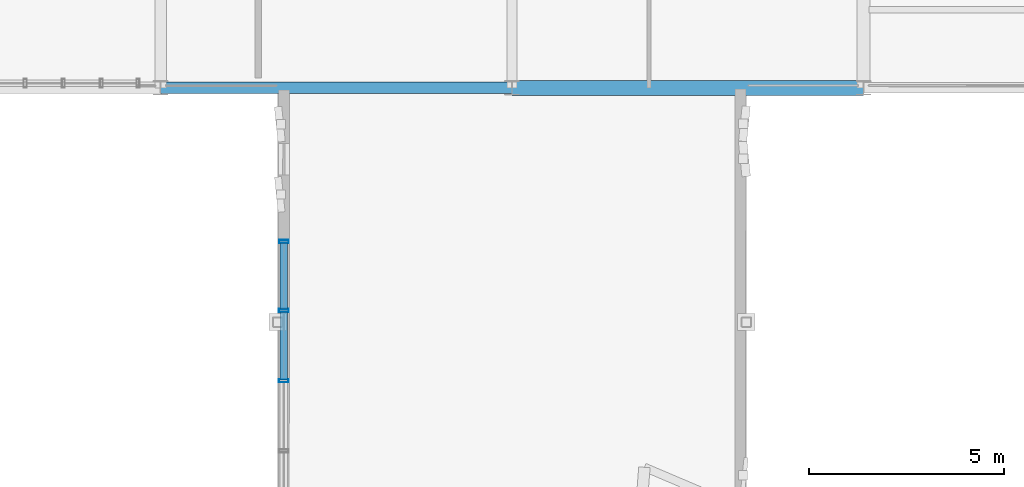
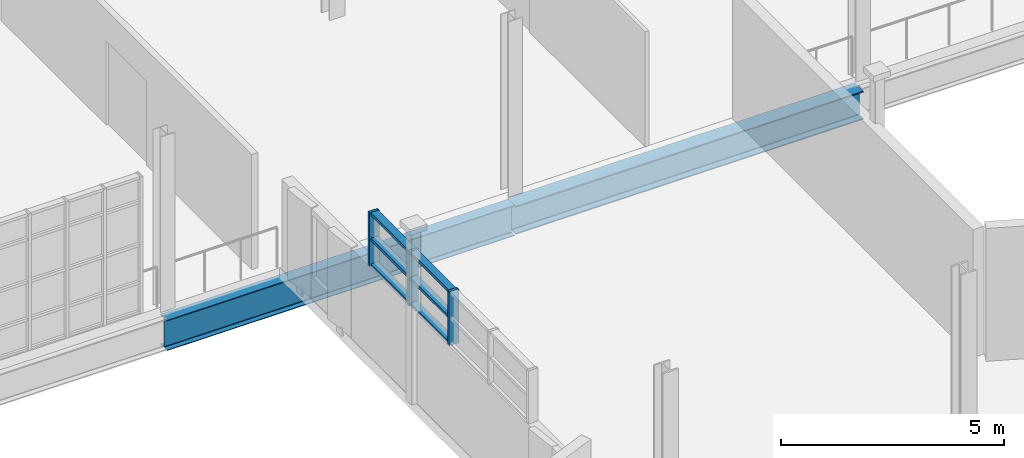
# One storey, part 33 of 122: 9 members, 2 beams, 1 element without a shape of its own.
"""IFC4 building model written with IfcOpenShell, lengths in metres."""

from ifc_helpers import new_model, si_unit, direction, frame, origin, origin_2d, place, context, subcontext, project, spatial, hollow_rectangle, i_section, extrude, material, layer, layer_set, material_profile, profile_set, type_object, element, aggregate, save


model = new_model("IFC4")

# Units and contexts
model_context = context("Model", 3, precision=1e-05, world=origin(), true_north=direction((0.0, 1.0)))
body_context = subcontext(model_context, "Body", "Model", "MODEL_VIEW")
ifc_project = project(units=[si_unit("LENGTHUNIT", "METRE"), si_unit("AREAUNIT", "SQUARE_METRE"), si_unit("VOLUMEUNIT", "CUBIC_METRE"), si_unit("PLANEANGLEUNIT", "RADIAN"), si_unit("MASSUNIT", "GRAM", prefix="KILO"), si_unit("THERMODYNAMICTEMPERATUREUNIT", "KELVIN"), si_unit("POWERUNIT", "WATT")], contexts=[model_context])

# Site, building, storey
site_placement = place(None, origin())
site = spatial("IfcSite", under=ifc_project, at=site_placement, CompositionType="ELEMENT")
building_placement = place(site_placement, origin())
building = spatial("IfcBuilding", under=site, at=building_placement, Name="Zelmaris Science Centre", CompositionType="ELEMENT")
storey_placement = place(building_placement, frame((0.0, 0.0, 10.800048828125)))
storey = spatial("IfcBuildingStorey", under=building, at=storey_placement, Name="L02", CompositionType="ELEMENT", Elevation=10.800048828125)

# Curtain wall, members
ifc_material_1 = material(Name="Anodised architectural aluminium 6063-T6", Category="aluminium")
ifc_layer = layer(ifc_material_1, 0.18994140625, Name="Anodised architectural aluminium 6063-T6")
ifc_layer_set = layer_set([ifc_layer], Name="Anodised architectural aluminium 6063-T6")
curtain_wall_type = type_object("IfcCurtainWallType", Name="Curtain Wall CW-01", PredefinedType="USERDEFINED", material=ifc_layer_set)
curtain_wall_placement = place(storey_placement, origin())
curtain_wall = element("IfcCurtainWall", 1, at=curtain_wall_placement, inside=storey, type_object=curtain_wall_type, Name="L02 Clerestory curtain wall 253", ObjectType="GLAZED CURTAIN WALL", PredefinedType="USERDEFINED")
ifc_material_profile_1 = material_profile(ifc_material_1, hollow_rectangle(XDim=0.080078125, YDim=0.25, WallThickness=0.0048828125, at=origin_2d()), Name="ALU-MUL-80X250")
ifc_profile_set_1 = profile_set([ifc_material_profile_1], Name="Anodised architectural aluminium 6063-T6")
member_type_1 = type_object("IfcMemberType", Name="ALU-MUL-80X250", PredefinedType="MULLION", material=ifc_profile_set_1)
member_1_placement = place(storey_placement, frame((75.156005859375, 56.498779296875, 2.419921875), z_axis=(0.0, 0.0, 1.0), x_axis=(0.000534070726, 0.999999857384, 0.0)))
member_1 = element("IfcMember", 2, at=member_1_placement, type_object=member_type_1, Name="CW-01 mullion 3", PredefinedType="MULLION", context=body_context, shape_type="SweptSolid", body=[
    extrude(hollow_rectangle(XDim=0.080078125, YDim=0.25, WallThickness=0.0048828125, at=origin_2d()), origin(), (0.0, 0.0, 1.0), 1.47705078125),
])
member_2_placement = place(storey_placement, frame((75.156982421875, 58.298828125, 2.419921875), z_axis=(0.0, 0.0, 1.0), x_axis=(0.000534070726, 0.999999857384, 0.0)))
member_2 = element("IfcMember", 3, at=member_2_placement, type_object=member_type_1, Name="CW-01 mullion 4", PredefinedType="MULLION", context=body_context, shape_type="SweptSolid", body=[
    extrude(hollow_rectangle(XDim=0.080078125, YDim=0.25, WallThickness=0.0048828125, at=origin_2d()), origin(), (0.0, 0.0, 1.0), 1.47705078125),
])
member_3_placement = place(storey_placement, frame((75.157958984375, 60.06298828125, 2.419921875), z_axis=(0.0, 0.0, 1.0), x_axis=(0.000534070726, 0.999999857384, 0.0)))
member_3 = element("IfcMember", 4, at=member_3_placement, type_object=member_type_1, Name="CW-01 mullion 5", PredefinedType="MULLION", context=body_context, shape_type="SweptSolid", body=[
    extrude(hollow_rectangle(XDim=0.080078125, YDim=0.25, WallThickness=0.0048828125, at=origin_2d()), origin(), (0.0, 0.0, 1.0), 1.47705078125),
])
ifc_material_profile_2 = material_profile(ifc_material_1, hollow_rectangle(XDim=0.080078125, YDim=0.18994140625, WallThickness=0.00439453125, at=origin_2d()), Name="ALU-TRN-80X190")
ifc_profile_set_2 = profile_set([ifc_material_profile_2], Name="Anodised architectural aluminium 6063-T6")
member_type_2 = type_object("IfcMemberType", Name="ALU-TRN-80X190", PredefinedType="USERDEFINED", material=ifc_profile_set_2)
member_4_placement = place(storey_placement, frame((75.156005859375, 56.534912109375, 2.4560546875), z_axis=(0.000565131303, 0.999999840313, 0.0), x_axis=(0.0, 0.0, 1.0)))
member_4 = element("IfcMember", 5, at=member_4_placement, type_object=member_type_2, Name="CW-01 transom 3.1", ObjectType="TRANSOM", PredefinedType="USERDEFINED", context=body_context, shape_type="SweptSolid", body=[
    extrude(hollow_rectangle(XDim=0.080078125, YDim=0.18994140625, WallThickness=0.00439453125, at=origin_2d()), origin(), (0.0, 0.0, 1.0), 1.72802734375),
])
member_5_placement = place(storey_placement, frame((75.156005859375, 56.534912109375, 3.158447265625), z_axis=(0.000565131303, 0.999999840313, 0.0), x_axis=(0.0, 0.0, 1.0)))
member_5 = element("IfcMember", 6, at=member_5_placement, type_object=member_type_2, Name="CW-01 transom 3.2", ObjectType="TRANSOM", PredefinedType="USERDEFINED", context=body_context, shape_type="SweptSolid", body=[
    extrude(hollow_rectangle(XDim=0.080078125, YDim=0.18994140625, WallThickness=0.00439453125, at=origin_2d()), origin(), (0.0, 0.0, 1.0), 1.72802734375),
])
member_6_placement = place(storey_placement, frame((75.156005859375, 56.534912109375, 3.86083984375), z_axis=(0.000565131303, 0.999999840313, 0.0), x_axis=(0.0, 0.0, 1.0)))
member_6 = element("IfcMember", 7, at=member_6_placement, type_object=member_type_2, Name="CW-01 transom 3.3", ObjectType="TRANSOM", PredefinedType="USERDEFINED", context=body_context, shape_type="SweptSolid", body=[
    extrude(hollow_rectangle(XDim=0.080078125, YDim=0.18994140625, WallThickness=0.00439453125, at=origin_2d()), origin(), (0.0, 0.0, 1.0), 1.72802734375),
])
member_7_placement = place(storey_placement, frame((75.156982421875, 58.3349609375, 2.4560546875), z_axis=(0.000577200481, 0.99999983342, 0.0), x_axis=(0.0, 0.0, 1.0)))
member_7 = element("IfcMember", 8, at=member_7_placement, type_object=member_type_2, Name="CW-01 transom 4.1", ObjectType="TRANSOM", PredefinedType="USERDEFINED", context=body_context, shape_type="SweptSolid", body=[
    extrude(hollow_rectangle(XDim=0.080078125, YDim=0.18994140625, WallThickness=0.00439453125, at=origin_2d()), origin(), (0.0, 0.0, 1.0), 1.69189453125),
])
member_8_placement = place(storey_placement, frame((75.156982421875, 58.3349609375, 3.158447265625), z_axis=(0.000577200481, 0.99999983342, 0.0), x_axis=(0.0, 0.0, 1.0)))
member_8 = element("IfcMember", 9, at=member_8_placement, type_object=member_type_2, Name="CW-01 transom 4.2", ObjectType="TRANSOM", PredefinedType="USERDEFINED", context=body_context, shape_type="SweptSolid", body=[
    extrude(hollow_rectangle(XDim=0.080078125, YDim=0.18994140625, WallThickness=0.00439453125, at=origin_2d()), origin(), (0.0, 0.0, 1.0), 1.69189453125),
])
member_9_placement = place(storey_placement, frame((75.156982421875, 58.3349609375, 3.86083984375), z_axis=(0.000577200481, 0.99999983342, 0.0), x_axis=(0.0, 0.0, 1.0)))
member_9 = element("IfcMember", 10, at=member_9_placement, type_object=member_type_2, Name="CW-01 transom 4.3", ObjectType="TRANSOM", PredefinedType="USERDEFINED", context=body_context, shape_type="SweptSolid", body=[
    extrude(hollow_rectangle(XDim=0.080078125, YDim=0.18994140625, WallThickness=0.00439453125, at=origin_2d()), origin(), (0.0, 0.0, 1.0), 1.69189453125),
])
aggregate(curtain_wall, [member_1, member_2, member_3, member_4, member_5, member_6, member_7, member_8, member_9])

# Beams
ifc_material_2 = material(Name="Steel ASTM A992 Grade 50", Category="steel")
ifc_material_profile_3 = material_profile(ifc_material_2, i_section(OverallWidth=0.2919921875, OverallDepth=0.8359375, WebThickness=0.013916015625, FlangeThickness=0.018798828125, FilletRadius=0.02001953125, at=origin_2d()), Name="W33X118")
ifc_profile_set_3 = profile_set([ifc_material_profile_3], Name="Steel ASTM A992 Grade 50")
beam_type_1 = type_object("IfcBeamType", Name="Beam G-30 W33X118", PredefinedType="BEAM", material=ifc_profile_set_3)
beam_1_placement = place(storey_placement, frame((72.0, 64.0, -0.718017578125), z_axis=(1.0, 0.0, 0.0), x_axis=(0.0, 1.0, 0.0)))
element("IfcBeam", 11, at=beam_1_placement, inside=storey, type_object=beam_type_1, Name="L02 East-west girder 577", PredefinedType="BEAM", context=body_context, shape_type="SweptSolid", body=[
    extrude(i_section(OverallWidth=0.2919921875, OverallDepth=0.8359375, WebThickness=0.013916015625, FlangeThickness=0.018798828125, FilletRadius=0.02001953125, at=origin_2d()), origin(), (0.0, 0.0, 1.0), 9.0),
])
ifc_material_profile_4 = material_profile(ifc_material_2, i_section(OverallWidth=0.381103515625, OverallDepth=0.777099609375, WebThickness=0.01806640625, FlangeThickness=0.030029296875, FilletRadius=0.01904296875, at=origin_2d()), Name="W30X191")
ifc_profile_set_4 = profile_set([ifc_material_profile_4], Name="Steel ASTM A992 Grade 50")
beam_type_2 = type_object("IfcBeamType", Name="Beam G-31 W30X191", PredefinedType="BEAM", material=ifc_profile_set_4)
beam_2_placement = place(storey_placement, frame((81.0, 64.0, -0.6884765625), z_axis=(1.0, 0.0, 0.0), x_axis=(0.0, 1.0, 0.0)))
element("IfcBeam", 12, at=beam_2_placement, inside=storey, type_object=beam_type_2, Name="L02 East-west girder 578", PredefinedType="BEAM", context=body_context, shape_type="SweptSolid", body=[
    extrude(i_section(OverallWidth=0.381103515625, OverallDepth=0.777099609375, WebThickness=0.01806640625, FlangeThickness=0.030029296875, FilletRadius=0.01904296875, at=origin_2d()), origin(), (0.0, 0.0, 1.0), 9.0),
])

save(model, "model.ifc")
